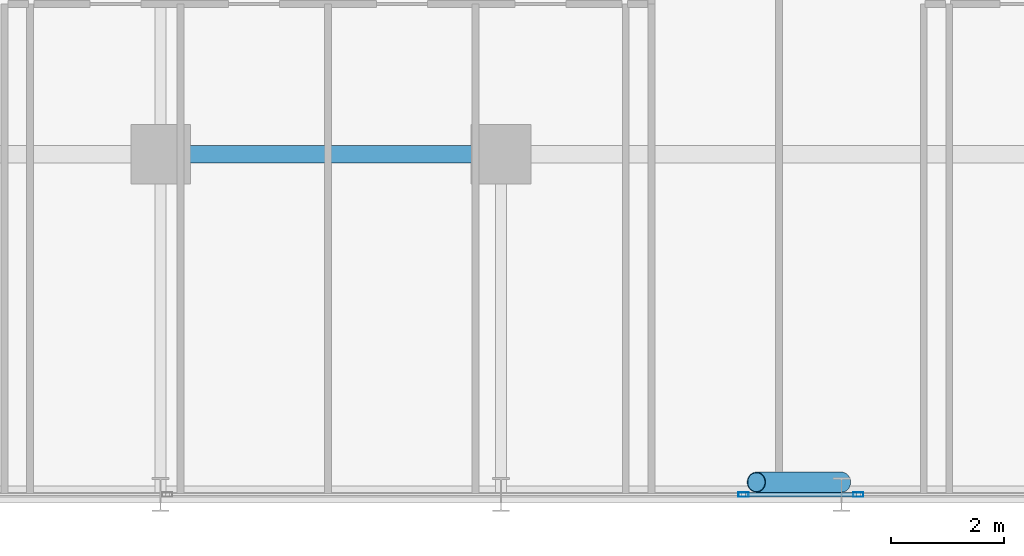
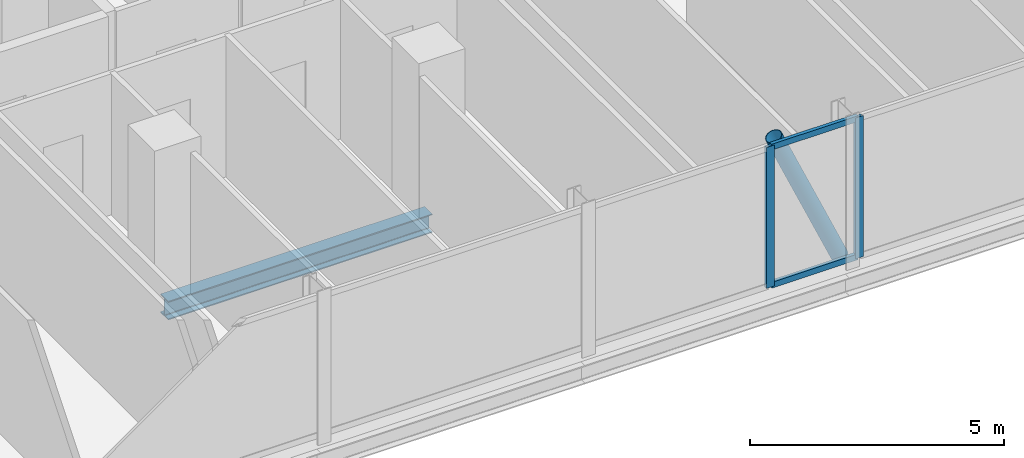
# One storey, part 8 of 30: 5 members, 1 beam, 2 elements without a shape of their own.
"""IFC4 building model written with IfcOpenShell, lengths in metres."""

from ifc_helpers import new_model, si_unit, direction, frame, origin, origin_2d, place, context, subcontext, project, spatial, hollow_rectangle, hollow_circle, i_section, extrude, material, layer, layer_set, material_profile, profile_set, type_object, element, aggregate, save


model = new_model("IFC4")

# Units and contexts
model_context = context("Model", 3, precision=1e-05, world=origin(), true_north=direction((0.0, 1.0)))
body_context = subcontext(model_context, "Body", "Model", "MODEL_VIEW")
ifc_project = project(units=[si_unit("LENGTHUNIT", "METRE"), si_unit("AREAUNIT", "SQUARE_METRE"), si_unit("VOLUMEUNIT", "CUBIC_METRE"), si_unit("PLANEANGLEUNIT", "RADIAN"), si_unit("MASSUNIT", "GRAM", prefix="KILO")], contexts=[model_context])

# Site, building, storey
site_placement = place(None, origin())
site = spatial("IfcSite", under=ifc_project, at=site_placement, CompositionType="ELEMENT")
building_placement = place(site_placement, origin())
building = spatial("IfcBuilding", under=site, at=building_placement, Name="Keshet Zoharim Tower", CompositionType="ELEMENT")
storey_placement = place(building_placement, frame((0.0, 0.0, 90.89990234375)))
storey = spatial("IfcBuildingStorey", under=building, at=storey_placement, Name="L21", CompositionType="ELEMENT", Elevation=90.89990234375)

# Beam
ifc_material_1 = material(Name="Steel S355", Category="steel")
ifc_material_profile_1 = material_profile(ifc_material_1, i_section(OverallWidth=0.300048828125, OverallDepth=0.449951171875, WebThickness=0.013916015625, FlangeThickness=0.02587890625, FilletRadius=0.027099609375, at=origin_2d()), Name="HEB450")
ifc_profile_set_1 = profile_set([ifc_material_profile_1], Name="Steel S355")
beam_type = type_object("IfcBeamType", Name="BM-WEB-HB450", PredefinedType="BEAM", material=ifc_profile_set_1)
beam_placement = place(storey_placement, frame((33.0, 6.699951171875, -0.539794921875), z_axis=(1.0, 0.0, 0.0), x_axis=(0.0, 1.0, 0.0)))
element("IfcBeam", 1, at=beam_placement, inside=storey, type_object=beam_type, Name="L21 Primary Girder X-007", PredefinedType="BEAM", context=body_context, shape_type="SweptSolid", body=[
    extrude(i_section(OverallWidth=0.300048828125, OverallDepth=0.449951171875, WebThickness=0.013916015625, FlangeThickness=0.02587890625, FilletRadius=0.027099609375, at=origin_2d()), origin(), (0.0, 0.0, 1.0), 6.0),
])

# Curtain wall, member
ifc_material_2 = material(Name="Aluminium 6063-T6", Category="aluminium")
ifc_layer = layer(ifc_material_2, 0.159912109375)
ifc_layer_set = layer_set([ifc_layer], Name="Aluminium 6063-T6")
curtain_wall_type = type_object("IfcCurtainWallType", Name="CW-SYS-03", PredefinedType="NOTDEFINED", material=ifc_layer_set)
curtain_wall_1_placement = place(storey_placement, origin())
curtain_wall_1 = element("IfcCurtainWall", 2, at=curtain_wall_1_placement, inside=storey, type_object=curtain_wall_type, Name="L21 Unitised Curtain Wall 03", PredefinedType="NOTDEFINED")
ifc_material_profile_2 = material_profile(ifc_material_2, hollow_rectangle(XDim=0.080078125, YDim=0.179931640625, WallThickness=0.00439453125, at=origin_2d()), Name="MUL-80x180")
ifc_profile_set_2 = profile_set([ifc_material_profile_2], Name="Aluminium 6063-T6")
member_type_1 = type_object("IfcMemberType", Name="CWM-M18", PredefinedType="MULLION", material=ifc_profile_set_2)
member_1_placement = place(storey_placement, frame((45.297607421875, 0.699951171875, 0.0), z_axis=(0.0, 0.0, 1.0), x_axis=(0.0, -1.0, 0.0)))
member_1 = element("IfcMember", 3, at=member_1_placement, type_object=member_type_1, Name="CW-03 mullion 2", PredefinedType="MULLION", context=body_context, shape_type="SweptSolid", body=[
    extrude(hollow_rectangle(XDim=0.080078125, YDim=0.179931640625, WallThickness=0.00439453125, at=origin_2d()), origin(), (0.0, 0.0, 1.0), 3.385009765625),
])
aggregate(curtain_wall_1, [member_1])

# Curtain wall, members
curtain_wall_2_placement = place(storey_placement, origin())
curtain_wall_2 = element("IfcCurtainWall", 4, at=curtain_wall_2_placement, inside=storey, type_object=curtain_wall_type, Name="L21 Unitised Curtain Wall 03 Part 2", PredefinedType="NOTDEFINED")
member_2_placement = place(storey_placement, frame((43.2724609375, 0.699951171875, 0.0), z_axis=(0.0, 0.0, 1.0), x_axis=(0.0, -1.0, 0.0)))
member_2 = element("IfcMember", 5, at=member_2_placement, type_object=member_type_1, Name="CW-03 mullion 2", PredefinedType="MULLION", context=body_context, shape_type="SweptSolid", body=[
    extrude(hollow_rectangle(XDim=0.080078125, YDim=0.179931640625, WallThickness=0.00439453125, at=origin_2d()), origin(), (0.0, 0.0, 1.0), 3.385009765625),
])
ifc_material_profile_3 = material_profile(ifc_material_2, hollow_rectangle(XDim=0.080078125, YDim=0.139892578125, WallThickness=0.00390625, at=origin_2d()), Name="TRN-80x140")
ifc_profile_set_3 = profile_set([ifc_material_profile_3], Name="Aluminium 6063-T6")
member_type_2 = type_object("IfcMemberType", Name="CWT-T14", PredefinedType="USERDEFINED", material=ifc_profile_set_3)
member_3_placement = place(storey_placement, frame((45.2626953125, 0.699951171875, 0.03515625), z_axis=(-1.0, 0.0, 0.0), x_axis=(0.0, -1.0, 0.0)))
member_3 = element("IfcMember", 6, at=member_3_placement, type_object=member_type_2, Name="CW-03 transom 1.1", ObjectType="TRANSOM", PredefinedType="USERDEFINED", context=body_context, shape_type="SweptSolid", body=[
    extrude(hollow_rectangle(XDim=0.080078125, YDim=0.139892578125, WallThickness=0.00390625, at=origin_2d()), origin(), (0.0, 0.0, 1.0), 1.955322265625),
])
member_4_placement = place(storey_placement, frame((45.2626953125, 0.699951171875, 3.35009765625), z_axis=(-1.0, 0.0, 0.0), x_axis=(0.0, -1.0, 0.0)))
member_4 = element("IfcMember", 7, at=member_4_placement, type_object=member_type_2, Name="CW-03 transom 1.2", ObjectType="TRANSOM", PredefinedType="USERDEFINED", context=body_context, shape_type="SweptSolid", body=[
    extrude(hollow_rectangle(XDim=0.080078125, YDim=0.139892578125, WallThickness=0.00390625, at=origin_2d()), origin(), (0.0, 0.0, 1.0), 1.955322265625),
])
aggregate(curtain_wall_2, [member_2, member_3, member_4])

# Member
ifc_material_profile_4 = material_profile(ifc_material_1, hollow_circle(Radius=0.177734375, WallThickness=0.012451171875, at=origin_2d()), Name="CHS355x12.5")
ifc_profile_set_4 = profile_set([ifc_material_profile_4], Name="Steel S355")
member_type_3 = type_object("IfcMemberType", Name="MB-BR-C355", PredefinedType="BRACE", material=ifc_profile_set_4)
member_5_placement = place(storey_placement, frame((45.0, 0.919921875, 0.0), z_axis=(-0.405134846829, 0.0, 0.91425694194), x_axis=(0.0, -1.0, 0.0)))
element("IfcMember", 8, at=member_5_placement, inside=storey, type_object=member_type_3, Name="L21 Perimeter Tube Brace 04", PredefinedType="BRACE", context=body_context, shape_type="SweptSolid", body=[
    extrude(hollow_circle(Radius=0.177734375, WallThickness=0.012451171875, at=origin_2d()), origin(), (0.0, 0.0, 1.0), 3.702392578125),
])

save(model, "model.ifc")
